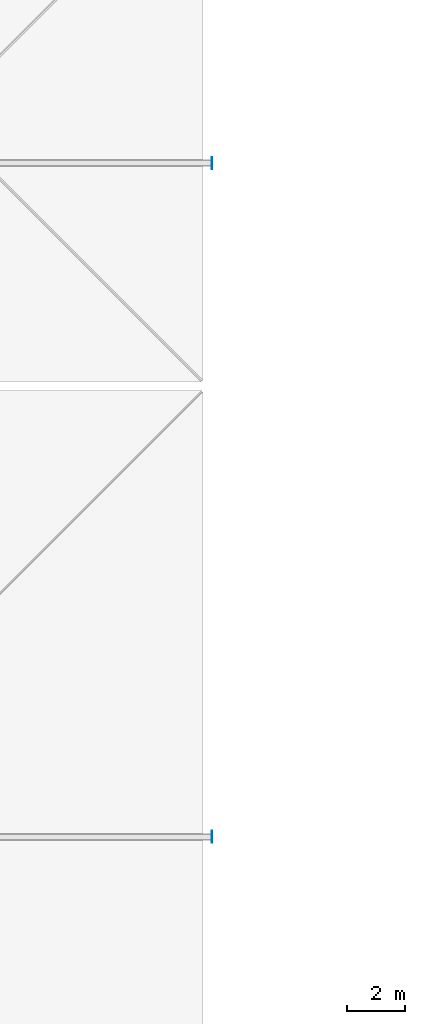
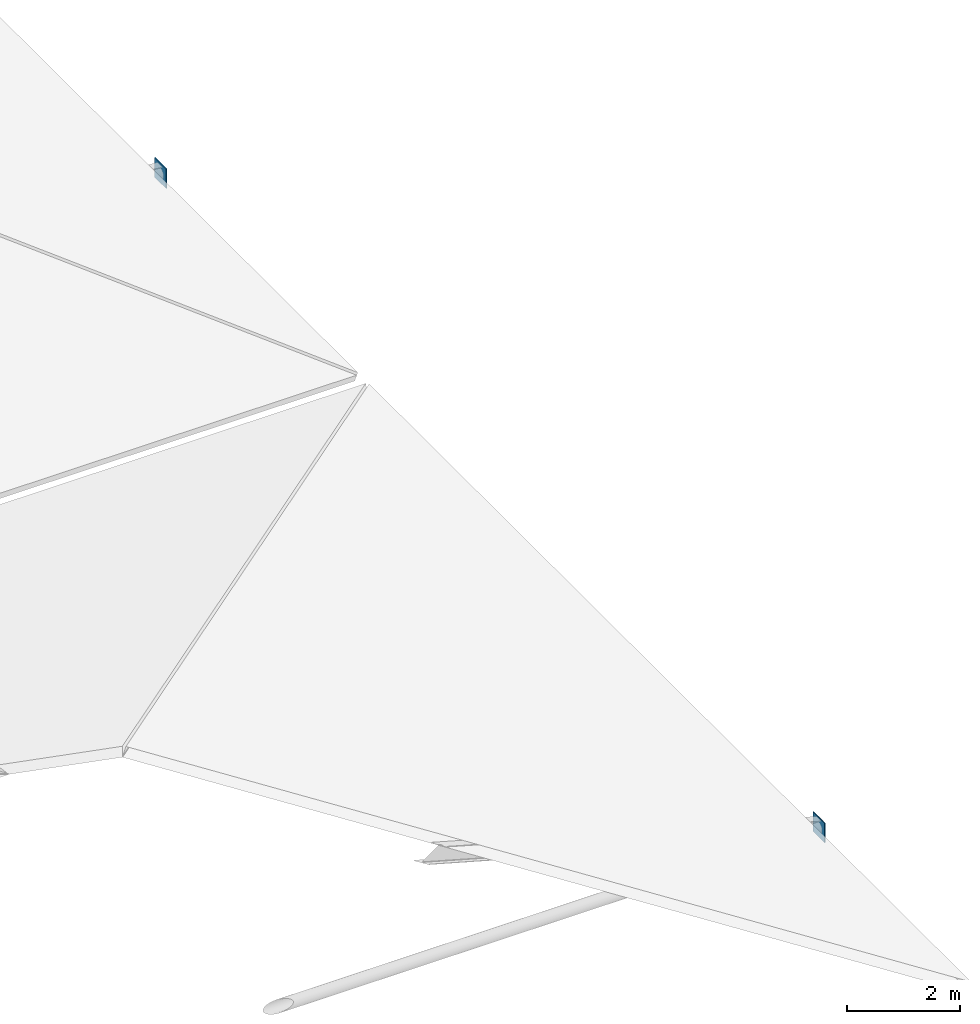
# One storey, part 23 of 41: 2 plates.
"""IFC4 building model written with IfcOpenShell, lengths in metres."""

from ifc_helpers import new_model, si_unit, direction, frame, origin, origin_2d, place, context, subcontext, project, spatial, rectangle, extrude, material, layer, layer_set, type_object, element, save


model = new_model("IFC4")

# Units and contexts
model_context = context("Model", 3, precision=1e-05, world=origin(), true_north=direction((0.0, 1.0)))
body_context = subcontext(model_context, "Body", "Model", "MODEL_VIEW")
ifc_project = project(units=[si_unit("LENGTHUNIT", "METRE"), si_unit("AREAUNIT", "SQUARE_METRE"), si_unit("VOLUMEUNIT", "CUBIC_METRE"), si_unit("PLANEANGLEUNIT", "RADIAN"), si_unit("MASSUNIT", "GRAM", prefix="KILO")], contexts=[model_context])

# Site, building, storey
site_placement = place(None, origin())
site = spatial("IfcSite", under=ifc_project, at=site_placement, CompositionType="ELEMENT")
building_placement = place(site_placement, origin())
building = spatial("IfcBuilding", under=site, at=building_placement, Name="Nabrawat Pavilion Hospital", CompositionType="ELEMENT")
storey_placement = place(building_placement, frame((0.0, 0.0, 18.89990234375)))
storey = spatial("IfcBuildingStorey", under=building, at=storey_placement, Name="L04", CompositionType="ELEMENT", Elevation=18.89990234375)

# Plates
ifc_material = material(Name="Steel S355", Category="steel")
ifc_layer = layer(ifc_material, 0.02001953125, Name="Steel S355")
ifc_layer_set = layer_set([ifc_layer], Name="Steel S355")
plate_type = type_object("IfcPlateType", Name="Space Frame Interior Gusset Node Plate 420x420x20", PredefinedType="USERDEFINED", material=ifc_layer_set)
for number, where, z_axis, x_axis, name in (
    (1, (58.81005859375, 70.199951171875, -0.559814453125), (0.0, 0.0, 1.0), (1.0, 0.0, 0.0), "Surgical East-South Pavilion Tie Chord End Cap Plate 03-E"),
    (2, (58.81005859375, 93.60009765625, -0.559814453125), (0.0, 0.0, 1.0), (1.0, 0.0, 0.0), "Surgical East-North Pavilion Tie Chord End Cap Plate 01-E"),
):
    element("IfcPlate", number, at=place(storey_placement, frame(where, z_axis=z_axis, x_axis=x_axis)), inside=storey, type_object=plate_type, Name=name, ObjectType="GUSSET PLATE", PredefinedType="USERDEFINED", context=body_context, shape_type="SweptSolid", body=[
        extrude(rectangle(XDim=0.02001953125, YDim=0.419921875, at=origin_2d()), origin(), (0.0, 0.0, 1.0), 0.419921875),
    ])

save(model, "model.ifc")
